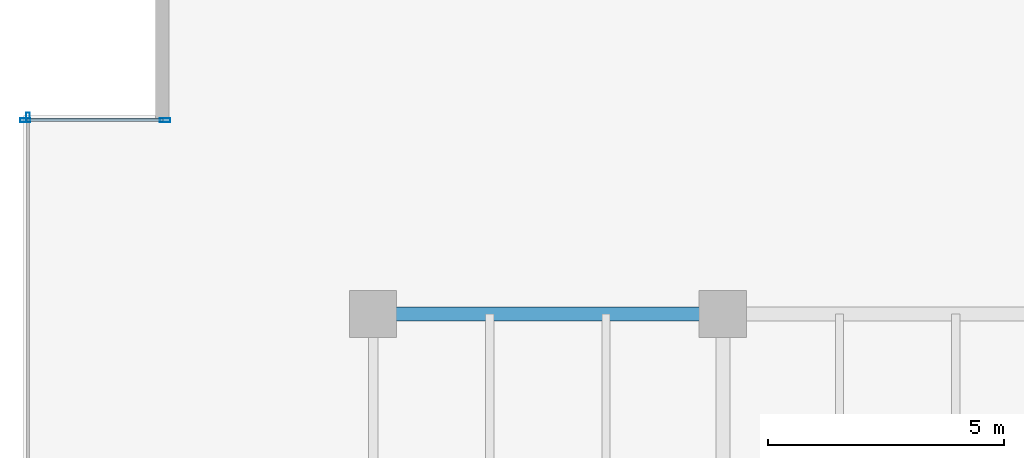
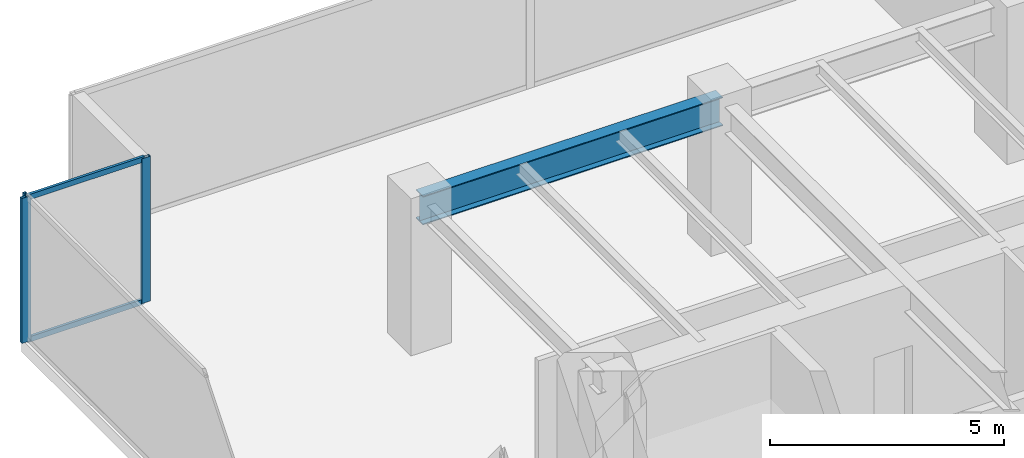
# One storey, part 12 of 35: 5 members, 1 beam, 2 elements without a shape of their own.
"""IFC4 building model written with IfcOpenShell, lengths in metres."""

from ifc_helpers import new_model, si_unit, direction, frame, origin, origin_2d, place, context, subcontext, project, spatial, hollow_rectangle, i_section, extrude, source, transform, mapped, material, layer, layer_set, material_profile, profile_set, type_object, type_shapes, element, aggregate, save


model = new_model("IFC4")

# Units and contexts
model_context = context("Model", 3, precision=1e-05, world=origin(), true_north=direction((0.0, 1.0)))
body_context = subcontext(model_context, "Body", "Model", "MODEL_VIEW")
ifc_project = project(units=[si_unit("LENGTHUNIT", "METRE"), si_unit("AREAUNIT", "SQUARE_METRE"), si_unit("VOLUMEUNIT", "CUBIC_METRE"), si_unit("PLANEANGLEUNIT", "RADIAN"), si_unit("MASSUNIT", "GRAM", prefix="KILO")], contexts=[model_context])

# Site, building, storey
site_placement = place(None, origin())
site = spatial("IfcSite", under=ifc_project, at=site_placement, CompositionType="ELEMENT")
building_placement = place(site_placement, origin())
building = spatial("IfcBuilding", under=site, at=building_placement, Name="Haelvirn Gate Laboratories", CompositionType="ELEMENT")
storey_placement = place(building_placement, frame((0.0, 0.0, 41.60009765625)))
storey = spatial("IfcBuildingStorey", under=building, at=storey_placement, Name="L10", CompositionType="ELEMENT", Elevation=41.60009765625)

# Beam
ifc_material_1 = material(Name="Steel SM355", Category="steel")
ifc_material_profile_1 = material_profile(ifc_material_1, i_section(OverallWidth=0.300048828125, OverallDepth=0.75, WebThickness=0.013916015625, FlangeThickness=0.02392578125, at=origin_2d()), Name="H-750x300x14x24")
ifc_profile_set_1 = profile_set([ifc_material_profile_1], Name="Steel SM355")
beam_type = type_object("IfcBeamType", Name="BM-G-750", PredefinedType="BEAM", material=ifc_profile_set_1)
shared_shape_1 = source(origin(), body_context, "Body", "SweptSolid", [
    extrude(i_section(OverallWidth=0.300048828125, OverallDepth=0.75, WebThickness=0.013916015625, FlangeThickness=0.02392578125, at=origin_2d()), origin(), (0.0, 0.0, 1.0), 7.400146484375),
])
type_shapes(beam_type, [shared_shape_1])
beam_placement = place(storey_placement, frame((7.39990234375, 41.60009765625, 3.40478515625), z_axis=(1.0, 0.0, 0.0), x_axis=(0.0, 1.0, 0.0)))
element("IfcBeam", 1, at=beam_placement, inside=storey, type_object=beam_type, Name="L10 Primary Girder Y41.6 (7.4-14.8)", PredefinedType="BEAM", context=body_context, shape_type="MappedRepresentation", body=[
    mapped(shared_shape_1, transform((0.0, 0.0, 0.0), scale=1.0)),
])

# Curtain wall, members
ifc_material_2 = material(Name="Anodised bronze unitised aluminium & triple low-E glass", Category="aluminium")
ifc_layer_1 = layer(ifc_material_2, 0.181884765625, Name="CW-SYS-5")
ifc_layer_set_1 = layer_set([ifc_layer_1], Name="Anodised bronze unitised aluminium & triple low-E glass")
curtain_wall_type_1 = type_object("IfcCurtainWallType", Name="CW-SYS-5", PredefinedType="NOTDEFINED", material=ifc_layer_set_1)
curtain_wall_1_placement = place(storey_placement, origin())
curtain_wall_1 = element("IfcCurtainWall", 2, at=curtain_wall_1_placement, inside=storey, type_object=curtain_wall_type_1, Name="L10 Unitised Curtain Wall CW-L10-P0-E16-1", PredefinedType="NOTDEFINED")
ifc_material_3 = material(Name="Extruded aluminium 6063-T6 (anodised bronze)", Category="aluminium")
ifc_material_profile_2 = material_profile(ifc_material_3, hollow_rectangle(XDim=0.06494140625, YDim=0.139892578125, WallThickness=0.00390625, at=origin_2d()), Name="CWT-140x65x4")
ifc_profile_set_2 = profile_set([ifc_material_profile_2], Name="Extruded aluminium 6063-T6 (anodised bronze)")
member_type_1 = type_object("IfcMemberType", Name="CWT-T140", PredefinedType="USERDEFINED", material=ifc_profile_set_2)
shared_shape_2 = source(origin(), body_context, "Body", "SweptSolid", [
    extrude(hollow_rectangle(XDim=0.06494140625, YDim=0.139892578125, WallThickness=0.00390625, at=origin_2d()), origin(), (0.0, 0.0, 1.0), 2.8798828125),
])
type_shapes(member_type_1, [shared_shape_2])
member_1_placement = place(storey_placement, frame((0.080078125, 45.699951171875, 0.032470703125), z_axis=(1.0, 0.0, 0.0), x_axis=(0.0, 1.0, 0.0)))
member_1 = element("IfcMember", 3, at=member_1_placement, type_object=member_type_1, Name="CW5 transom 1.1", ObjectType="TRANSOM", PredefinedType="USERDEFINED", context=body_context, shape_type="MappedRepresentation", body=[
    mapped(shared_shape_2, transform((0.0, 0.0, 0.0), scale=1.0)),
])
member_2_placement = place(storey_placement, frame((0.080078125, 45.699951171875, 3.747314453125), z_axis=(1.0, 0.0, 0.0), x_axis=(0.0, 1.0, 0.0)))
member_2 = element("IfcMember", 4, at=member_2_placement, type_object=member_type_1, Name="CW5 transom 1.2", ObjectType="TRANSOM", PredefinedType="USERDEFINED", context=body_context, shape_type="MappedRepresentation", body=[
    mapped(shared_shape_2, transform((0.0, 0.0, 0.0), scale=1.0)),
])

# Curtain wall, member
ifc_layer_2 = layer(ifc_material_2, 0.18408203125, Name="CW-SYS-2")
ifc_layer_set_2 = layer_set([ifc_layer_2], Name="Anodised bronze unitised aluminium & triple low-E glass")
curtain_wall_type_2 = type_object("IfcCurtainWallType", Name="CW-SYS-2", PredefinedType="NOTDEFINED", material=ifc_layer_set_2)
curtain_wall_2_placement = place(storey_placement, origin())
curtain_wall_2 = element("IfcCurtainWall", 5, at=curtain_wall_2_placement, inside=storey, type_object=curtain_wall_type_2, Name="L10 Unitised Curtain Wall CW-L10-P0-E17", PredefinedType="NOTDEFINED")
ifc_material_profile_3 = material_profile(ifc_material_3, hollow_rectangle(XDim=0.074951171875, YDim=0.199951171875, WallThickness=0.0048828125, at=origin_2d()), Name="CWM-200x75x5")
ifc_profile_set_3 = profile_set([ifc_material_profile_3], Name="Extruded aluminium 6063-T6 (anodised bronze)")
member_type_2 = type_object("IfcMemberType", Name="CWM-T200", PredefinedType="MULLION", material=ifc_profile_set_3)
shared_shape_3 = source(origin(), body_context, "Body", "SweptSolid", [
    extrude(hollow_rectangle(XDim=0.074951171875, YDim=0.199951171875, WallThickness=0.0048828125, at=origin_2d()), origin(), (0.0, 0.0, 1.0), 3.77978515625),
])
type_shapes(member_type_2, [shared_shape_3])
member_3_placement = place(storey_placement, frame((0.10009765625, 45.762451171875, 0.0), z_axis=(0.0, 0.0, 1.0), x_axis=(1.0, 0.0, 0.0)))
member_3 = element("IfcMember", 6, at=member_3_placement, type_object=member_type_2, Name="CW2 mullion 1", PredefinedType="MULLION", context=body_context, shape_type="MappedRepresentation", body=[
    mapped(shared_shape_3, transform((0.0, 0.0, 0.0), scale=1.0)),
])
aggregate(curtain_wall_2, [member_3])

# Member
ifc_material_profile_4 = material_profile(ifc_material_3, hollow_rectangle(XDim=0.080078125, YDim=0.219970703125, WallThickness=0.006103515625, at=origin_2d()), Name="CWM-220x80x6")
ifc_profile_set_4 = profile_set([ifc_material_profile_4], Name="Extruded aluminium 6063-T6 (anodised bronze)")
member_type_3 = type_object("IfcMemberType", Name="CWM-T220", PredefinedType="MULLION", material=ifc_profile_set_4)
shared_shape_4 = source(origin(), body_context, "Body", "SweptSolid", [
    extrude(hollow_rectangle(XDim=0.080078125, YDim=0.219970703125, WallThickness=0.006103515625, at=origin_2d()), origin(), (0.0, 0.0, 1.0), 3.77978515625),
])
type_shapes(member_type_3, [shared_shape_4])
member_4_placement = place(storey_placement, frame((0.0400390625, 45.699951171875, 0.0), z_axis=(0.0, 0.0, 1.0), x_axis=(0.0, 1.0, 0.0)))
member_4 = element("IfcMember", 7, at=member_4_placement, type_object=member_type_3, Name="CW5 mullion 1", PredefinedType="MULLION", context=body_context, shape_type="MappedRepresentation", body=[
    mapped(shared_shape_4, transform((0.0, 0.0, 0.0), scale=1.0)),
])

member_5_placement = place(storey_placement, frame((3.0, 45.699951171875, 0.0), z_axis=(0.0, 0.0, 1.0), x_axis=(0.0, 1.0, 0.0)))
member_5 = element("IfcMember", 8, at=member_5_placement, type_object=member_type_3, Name="CW5 mullion 2", PredefinedType="MULLION", context=body_context, shape_type="MappedRepresentation", body=[
    mapped(shared_shape_4, transform((0.0, 0.0, 0.0), scale=1.0)),
])

aggregate(curtain_wall_1, [member_4, member_5, member_1, member_2])

save(model, "model.ifc")
